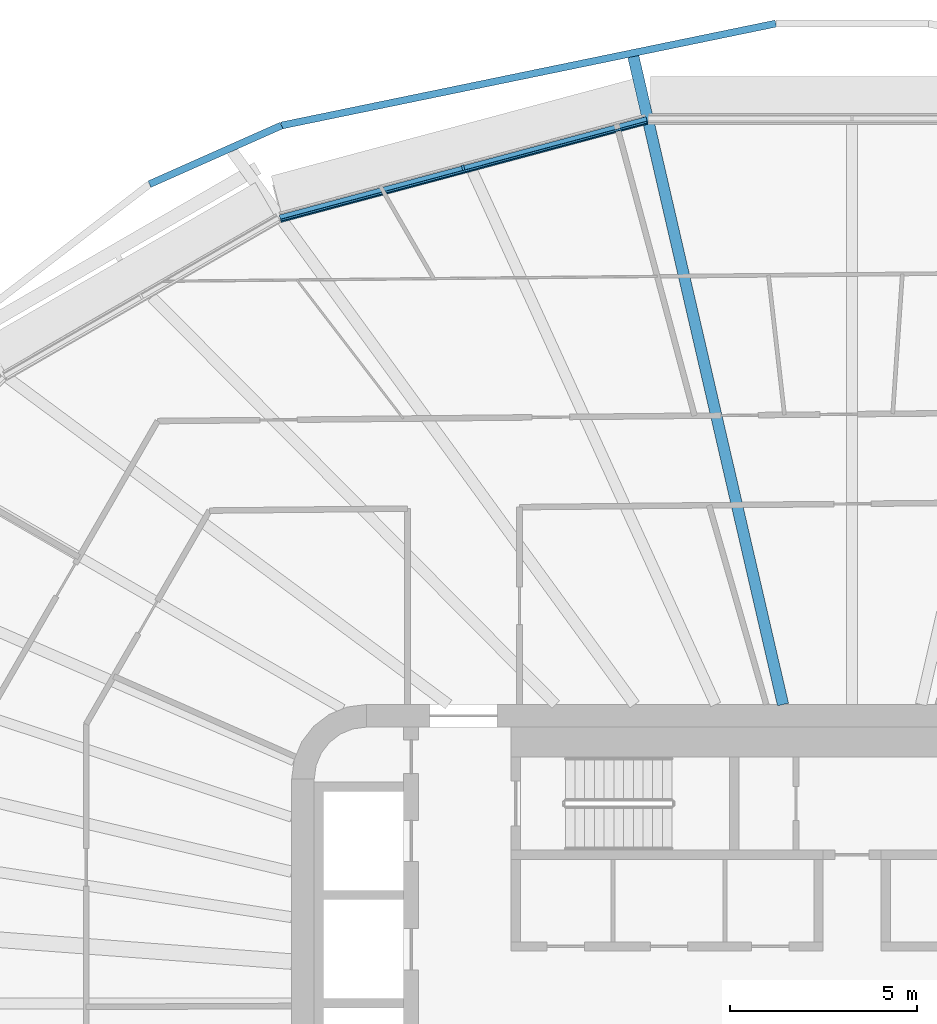
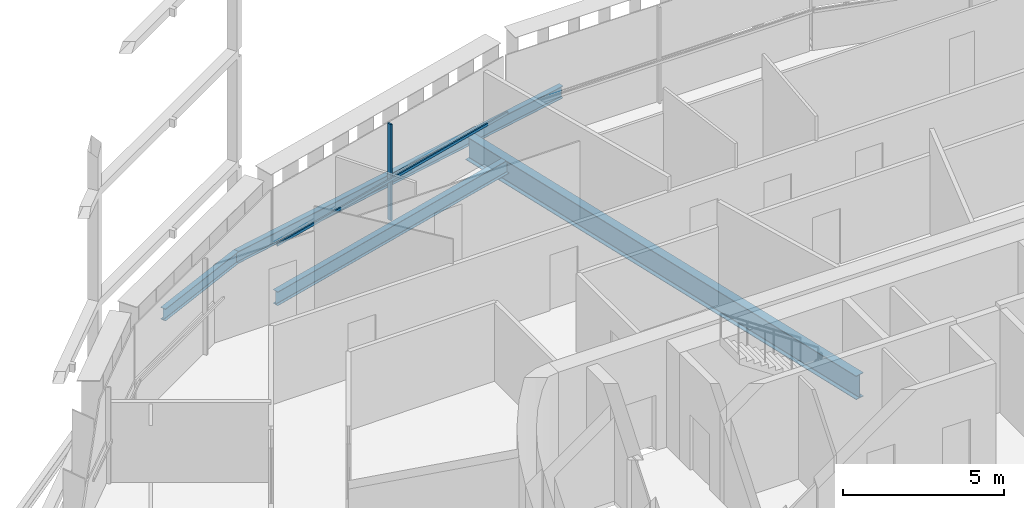
# One storey, part 8 of 26: 4 beams, 2 members, 1 element without a shape of its own.
"""IFC4 building model written with IfcOpenShell, lengths in metres."""

from ifc_helpers import new_model, si_unit, direction, frame, origin, origin_2d, place, context, subcontext, project, spatial, rectangle, i_section, extrude, material, layer, layer_set, material_profile, profile_set, type_object, element, aggregate, save


model = new_model("IFC4")

# Units and contexts
model_context = context("Model", 3, precision=1e-05, world=origin(), true_north=direction((0.0, 1.0)))
body_context = subcontext(model_context, "Body", "Model", "MODEL_VIEW")
ifc_project = project(units=[si_unit("LENGTHUNIT", "METRE"), si_unit("AREAUNIT", "SQUARE_METRE"), si_unit("VOLUMEUNIT", "CUBIC_METRE"), si_unit("PLANEANGLEUNIT", "RADIAN"), si_unit("MASSUNIT", "GRAM", prefix="KILO")], contexts=[model_context])

# Site, building, storey
site_placement = place(None, origin())
site = spatial("IfcSite", under=ifc_project, at=site_placement, CompositionType="ELEMENT")
building_placement = place(site_placement, origin())
building = spatial("IfcBuilding", under=site, at=building_placement, Name="Sahrelin Media Tower", CompositionType="ELEMENT")
storey_placement = place(building_placement, frame((0.0, 0.0, 84.0)))
storey = spatial("IfcBuildingStorey", under=building, at=storey_placement, Name="L15", CompositionType="ELEMENT", Elevation=84.0)

# Beam
ifc_material_1 = material(Name="Steel S355", Category="steel")
ifc_material_profile_1 = material_profile(ifc_material_1, i_section(OverallWidth=0.208740234375, OverallDepth=0.5283203125, WebThickness=0.009521484375, FlangeThickness=0.01318359375, FilletRadius=0.0126953125, at=origin_2d()), Name="UB 533x210x82")
ifc_profile_set_1 = profile_set([ifc_material_profile_1], Name="Steel S355")
beam_type_1 = type_object("IfcBeamType", Name="Edge beam EB6", PredefinedType="BEAM", material=ifc_profile_set_1)
beam_1_placement = place(storey_placement, frame((-15.306396484375, 21.001708984375, -0.414306640625), z_axis=(0.965923284876, 0.258828529599, 0.0), x_axis=(-0.258828529599, 0.965923284876, 0.0)))
element("IfcBeam", 1, at=beam_1_placement, inside=storey, type_object=beam_type_1, Name="Edge beam L15-18", PredefinedType="BEAM", context=body_context, shape_type="SweptSolid", body=[
    extrude(i_section(OverallWidth=0.208740234375, OverallDepth=0.5283203125, WebThickness=0.009521484375, FlangeThickness=0.01318359375, FilletRadius=0.0126953125, at=origin_2d()), origin(), (0.0, 0.0, 1.0), 10.16455078125),
])

# Curtain wall, member
ifc_material_2 = material(Name="Champagne anodised aluminium 6063-T6", Category="aluminium")
ifc_layer = layer(ifc_material_2, 0.14990234375)
ifc_layer_set = layer_set([ifc_layer], Name="Tower ribbon curtain wall")
curtain_wall_type = type_object("IfcCurtainWallType", Name="Tower ribbon curtain wall", PredefinedType="NOTDEFINED", material=ifc_layer_set)
curtain_wall_placement = place(storey_placement, frame((-10.436279296875, 22.4619140625, 0.0), z_axis=(0.0, 0.0, 1.0), x_axis=(1.0, 0.0, 0.0)))
curtain_wall = element("IfcCurtainWall", 2, at=curtain_wall_placement, inside=storey, type_object=curtain_wall_type, Name="L15:CW:L15-07", PredefinedType="NOTDEFINED")
ifc_material_profile_2 = material_profile(ifc_material_2, rectangle(XDim=0.06005859375, YDim=0.14990234375, at=origin_2d()), Name="Mullion 60x150")
ifc_profile_set_2 = profile_set([ifc_material_profile_2], Name="Champagne anodised aluminium 6063-T6")
member_type_1 = type_object("IfcMemberType", Name="Mullion 60x150 CW1", PredefinedType="MULLION", material=ifc_profile_set_2)
member_1_placement = place(storey_placement, frame((-10.41162109375, 22.370361328125, 0.0), z_axis=(0.0, 0.0, 1.0), x_axis=(-0.965926278012, -0.258817359244, 0.0)))
member_1 = element("IfcMember", 3, at=member_1_placement, type_object=member_type_1, Name="L15:CWM:L15-07", PredefinedType="MULLION", context=body_context, shape_type="SweptSolid", body=[
    extrude(rectangle(XDim=0.06005859375, YDim=0.14990234375, at=origin_2d()), origin(), (0.0, 0.0, 1.0), 3.648681640625),
])

# Beams
ifc_material_profile_3 = material_profile(ifc_material_1, i_section(OverallWidth=0.30322265625, OverallDepth=0.903076171875, WebThickness=0.01513671875, FlangeThickness=0.020263671875, FilletRadius=0.01904296875, at=origin_2d()), Name="UB 914x305x201")
ifc_profile_set_3 = profile_set([ifc_material_profile_3], Name="Steel S355")
beam_type_2 = type_object("IfcBeamType", Name="Radial primary beam PB11", PredefinedType="BEAM", material=ifc_profile_set_3)
beam_2_placement = place(storey_placement, frame((-1.847900390625, 8.0, -0.6015625), z_axis=(-0.225036807982, 0.974350263023, 0.0), x_axis=(-0.974350263023, -0.225036807982, 0.0)))
element("IfcBeam", 4, at=beam_2_placement, inside=storey, type_object=beam_type_2, Name="Radial beam L15-07", PredefinedType="BEAM", context=body_context, shape_type="SweptSolid", body=[
    extrude(i_section(OverallWidth=0.30322265625, OverallDepth=0.903076171875, WebThickness=0.01513671875, FlangeThickness=0.020263671875, FilletRadius=0.01904296875, at=origin_2d()), origin(), (0.0, 0.0, 1.0), 17.7998046875),
])
ifc_material_profile_4 = material_profile(ifc_material_1, i_section(OverallWidth=0.1904296875, OverallDepth=0.45703125, WebThickness=0.009033203125, FlangeThickness=0.014404296875, FilletRadius=0.01025390625, at=origin_2d()), Name="UB 457x191x74")
ifc_profile_set_4 = profile_set([ifc_material_profile_4], Name="Steel S355")
beam_type_3 = type_object("IfcBeamType", Name="Tie chord TC5", PredefinedType="BEAM", material=ifc_profile_set_4)
beam_3_placement = place(storey_placement, frame((-2.0400390625, 26.22705078125, -0.37841796875), z_axis=(-0.97938622265, -0.201996601169, 0.0), x_axis=(0.201996601169, -0.97938622265, 0.0)))
element("IfcBeam", 5, at=beam_3_placement, inside=storey, type_object=beam_type_3, Name="Tie chord L15-07", PredefinedType="BEAM", context=body_context, shape_type="SweptSolid", body=[
    extrude(i_section(OverallWidth=0.1904296875, OverallDepth=0.45703125, WebThickness=0.009033203125, FlangeThickness=0.014404296875, FilletRadius=0.01025390625, at=origin_2d()), origin(), (0.0, 0.0, 1.0), 13.509033203125),
])
beam_4_placement = place(storey_placement, frame((-15.2705078125, 23.498291015625, -0.37841796875), z_axis=(-0.913821963128, -0.406115032601, 0.0), x_axis=(0.406115032601, -0.913821963128, 0.0)))
element("IfcBeam", 6, at=beam_4_placement, inside=storey, type_object=beam_type_3, Name="Tie chord L15-08", PredefinedType="BEAM", context=body_context, shape_type="SweptSolid", body=[
    extrude(i_section(OverallWidth=0.1904296875, OverallDepth=0.45703125, WebThickness=0.009033203125, FlangeThickness=0.014404296875, FilletRadius=0.01025390625, at=origin_2d()), origin(), (0.0, 0.0, 1.0), 3.86669921875),
])

# Member
ifc_material_profile_5 = material_profile(ifc_material_2, rectangle(XDim=0.050048828125, YDim=0.10009765625, at=origin_2d()), Name="Transom 50x100")
ifc_profile_set_5 = profile_set([ifc_material_profile_5], Name="Champagne anodised aluminium 6063-T6")
member_type_2 = type_object("IfcMemberType", Name="Transom 50x100 CW1", PredefinedType="USERDEFINED", material=ifc_profile_set_5)
member_2_placement = place(storey_placement, frame((-5.49169921875, 23.5849609375, 1.60009765625), z_axis=(-0.965927940896, -0.258811153154, 0.0), x_axis=(0.258811153154, -0.965927940896, 0.0)))
member_2 = element("IfcMember", 7, at=member_2_placement, type_object=member_type_2, Name="L15:CWT:L15-07", ObjectType="TRANSOM", PredefinedType="USERDEFINED", context=body_context, shape_type="SweptSolid", body=[
    extrude(rectangle(XDim=0.050048828125, YDim=0.10009765625, at=origin_2d()), origin(), (0.0, 0.0, 1.0), 10.133056640625),
])

aggregate(curtain_wall, [member_1, member_2])

save(model, "model.ifc")
